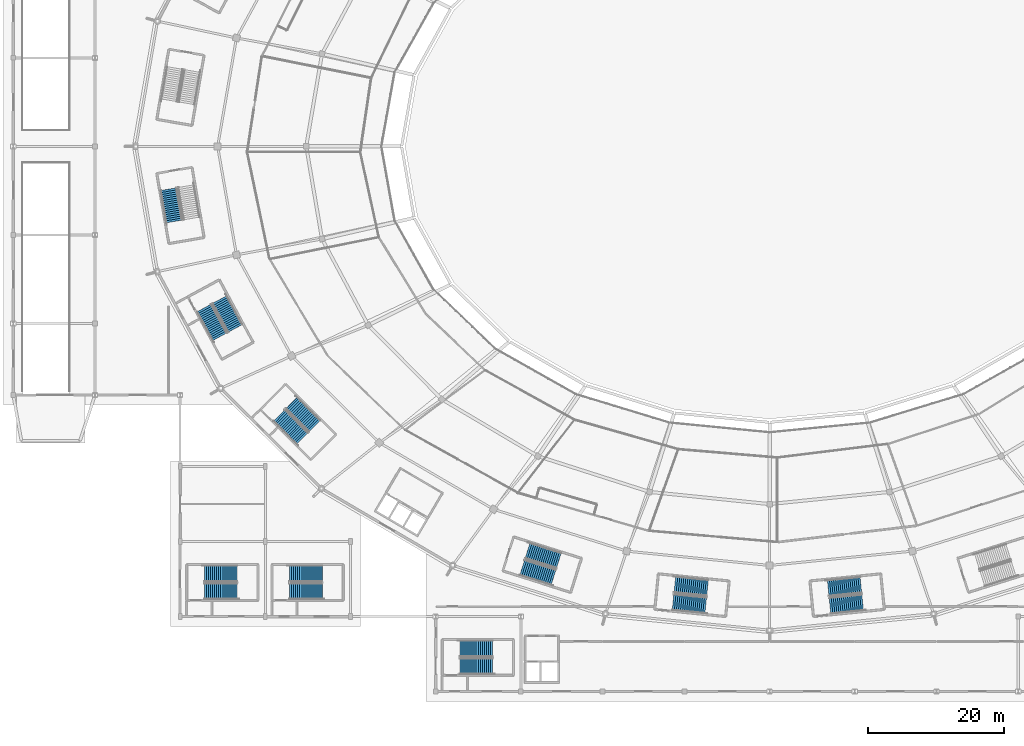
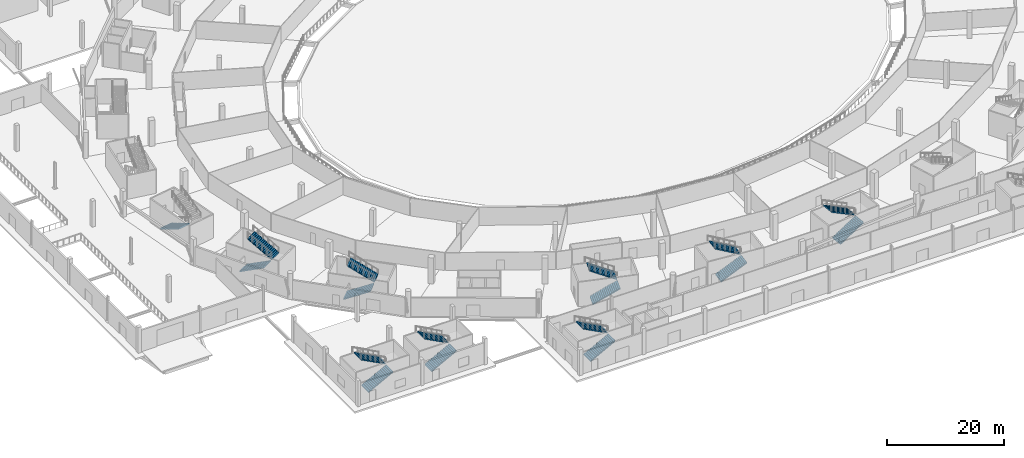
# One storey, part 54 of 82: 17 stair flights, 9 elements without a shape of their own.
"""IFC4 building model written with IfcOpenShell, lengths in metres."""

from ifc_helpers import new_model, si_unit, direction, frame, origin, place, context, subcontext, project, spatial, polyline, outline, extrude, material, type_object, element, aggregate, save


model = new_model("IFC4")

# Units and contexts
model_context = context("Model", 3, precision=1e-05, world=origin(), true_north=direction((0.0, 1.0)))
body_context = subcontext(model_context, "Body", "Model", "MODEL_VIEW")
ifc_project = project(units=[si_unit("LENGTHUNIT", "METRE"), si_unit("AREAUNIT", "SQUARE_METRE"), si_unit("VOLUMEUNIT", "CUBIC_METRE"), si_unit("PLANEANGLEUNIT", "RADIAN"), si_unit("MASSUNIT", "GRAM", prefix="KILO")], contexts=[model_context])

# Site, building, storey
site_placement = place(None, origin())
site = spatial("IfcSite", under=ifc_project, at=site_placement, CompositionType="ELEMENT")
building_placement = place(site_placement, origin())
building = spatial("IfcBuilding", under=site, at=building_placement, Name="Zlatoyarsky Gate Stadium", CompositionType="ELEMENT")
storey_placement = place(building_placement, origin())
storey = spatial("IfcBuildingStorey", under=building, at=storey_placement, Name="L00", CompositionType="ELEMENT", Elevation=0.0)

# Stair, stair flight
ifc_material = material(Name="Concrete C40/50", Category="concrete")
stair_type = type_object("IfcStairType", Name="CONCRETE DOGLEG EXIT STAIR H5400", PredefinedType="TWO_STRAIGHT_RUN_STAIR", material=ifc_material)
stair_1_placement = place(storey_placement, origin())
stair_1 = element("IfcStair", 1, at=stair_1_placement, inside=storey, type_object=stair_type, Name="L00 Exit Stair ST-07", PredefinedType="TWO_STRAIGHT_RUN_STAIR")
stair_flight_type = type_object("IfcStairFlightType", Name="CONCRETE STAIR FLIGHT 2400 H5400", PredefinedType="STRAIGHT", material=ifc_material)
stair_flight_1_placement = place(storey_placement, frame((22.80712890625, 73.71875, 0.0), z_axis=(0.0, 0.0, 1.0), x_axis=(0.169937754623, -0.985454798331, 0.0)))
stair_flight_1 = element("IfcStairFlight", 2, at=stair_flight_1_placement, type_object=stair_flight_type, Name="ST-DG54 flight 1", NumberOfRisers=17, NumberOfTreads=16, PredefinedType="STRAIGHT", RiserHeight=0.158823529, TreadLength=0.3, context=body_context, shape_type="SweptSolid", body=[
    extrude(outline(polyline([(-0.006103515625, -0.180908203125), (-0.006103515625, 0.0), (0.0, 0.0), (0.0, 0.158935546875), (0.300048828125, 0.158935546875), (0.300048828125, 0.317626953125), (0.60009765625, 0.317626953125), (0.60009765625, 0.4765625), (0.89990234375, 0.4765625), (0.89990234375, 0.63525390625), (1.199951171875, 0.63525390625), (1.199951171875, 0.794189453125), (1.5, 0.794189453125), (1.5, 0.952880859375), (1.800048828125, 0.952880859375), (1.800048828125, 1.11181640625), (2.10009765625, 1.11181640625), (2.10009765625, 1.2705078125), (2.39990234375, 1.2705078125), (2.39990234375, 1.429443359375), (2.699951171875, 1.429443359375), (2.699951171875, 1.588134765625), (3.0, 1.588134765625), (3.0, 1.7470703125), (3.300048828125, 1.7470703125), (3.300048828125, 1.90576171875), (3.60009765625, 1.90576171875), (3.60009765625, 2.064697265625), (3.89990234375, 2.064697265625), (3.89990234375, 2.2236328125), (4.199951171875, 2.2236328125), (4.199951171875, 2.38232421875), (4.5, 2.38232421875), (4.5, 2.541259765625), (4.800048828125, 2.541259765625), (4.800048828125, 2.699951171875), (4.805908203125, 2.699951171875), (4.805908203125, 2.3603515625), (4.800048828125, 2.3603515625), (-0.006103515625, -0.180908203125)])), frame((0.0, 1.199951171875, 0.0), z_axis=(0.0, -1.0, 0.0), x_axis=(1.0, 0.0, 0.0)), (0.0, 0.0, 1.0), 2.39990234375),
])
aggregate(stair_1, [stair_flight_1])

# Stair, stair flights
stair_2_placement = place(storey_placement, origin())
stair_2 = element("IfcStair", 3, at=stair_2_placement, inside=storey, type_object=stair_type, Name="L00 Exit Stair ST-08", PredefinedType="TWO_STRAIGHT_RUN_STAIR")
stair_flight_2_placement = place(storey_placement, frame((39.01806640625, 40.50341796875, 0.0), z_axis=(0.0, 0.0, 1.0), x_axis=(0.708901395436, -0.70530760066, 0.0)))
stair_flight_2 = element("IfcStairFlight", 4, at=stair_flight_2_placement, type_object=stair_flight_type, Name="ST-DG54 flight 1", NumberOfRisers=17, NumberOfTreads=16, PredefinedType="STRAIGHT", RiserHeight=0.158823529, TreadLength=0.3, context=body_context, shape_type="SweptSolid", body=[
    extrude(outline(polyline([(-0.006103515625, -0.180908203125), (-0.006103515625, 0.0), (0.0, 0.0), (0.0, 0.158935546875), (0.300048828125, 0.158935546875), (0.300048828125, 0.317626953125), (0.60009765625, 0.317626953125), (0.60009765625, 0.4765625), (0.89990234375, 0.4765625), (0.89990234375, 0.63525390625), (1.199951171875, 0.63525390625), (1.199951171875, 0.794189453125), (1.5, 0.794189453125), (1.5, 0.952880859375), (1.800048828125, 0.952880859375), (1.800048828125, 1.11181640625), (2.10009765625, 1.11181640625), (2.10009765625, 1.2705078125), (2.39990234375, 1.2705078125), (2.39990234375, 1.429443359375), (2.699951171875, 1.429443359375), (2.699951171875, 1.588134765625), (3.0, 1.588134765625), (3.0, 1.7470703125), (3.300048828125, 1.7470703125), (3.300048828125, 1.90576171875), (3.60009765625, 1.90576171875), (3.60009765625, 2.064697265625), (3.89990234375, 2.064697265625), (3.89990234375, 2.2236328125), (4.199951171875, 2.2236328125), (4.199951171875, 2.38232421875), (4.5, 2.38232421875), (4.5, 2.541259765625), (4.800048828125, 2.541259765625), (4.800048828125, 2.699951171875), (4.805908203125, 2.699951171875), (4.805908203125, 2.3603515625), (4.800048828125, 2.3603515625), (-0.006103515625, -0.180908203125)])), frame((0.0, 1.199951171875, 0.0), z_axis=(0.0, -1.0, 0.0), x_axis=(1.0, 0.0, 0.0)), (0.0, 0.0, 1.0), 2.39990234375),
])
stair_flight_3_placement = place(storey_placement, frame((44.254638671875, 38.9609375, 2.699951171875), z_axis=(0.0, 0.0, 1.0), x_axis=(-0.708901395436, 0.70530760066, 0.0)))
stair_flight_3 = element("IfcStairFlight", 5, at=stair_flight_3_placement, type_object=stair_flight_type, Name="ST-DG54 flight 2", NumberOfRisers=17, NumberOfTreads=16, PredefinedType="STRAIGHT", RiserHeight=0.158823529, TreadLength=0.3, context=body_context, shape_type="SweptSolid", body=[
    extrude(outline(polyline([(-0.006103515625, -0.180908203125), (-0.006103515625, 0.0), (0.0, 0.0), (0.0, 0.158935546875), (0.300048828125, 0.158935546875), (0.300048828125, 0.317626953125), (0.60009765625, 0.317626953125), (0.60009765625, 0.4765625), (0.89990234375, 0.4765625), (0.89990234375, 0.63525390625), (1.199951171875, 0.63525390625), (1.199951171875, 0.794189453125), (1.5, 0.794189453125), (1.5, 0.952880859375), (1.800048828125, 0.952880859375), (1.800048828125, 1.11181640625), (2.10009765625, 1.11181640625), (2.10009765625, 1.2705078125), (2.39990234375, 1.2705078125), (2.39990234375, 1.429443359375), (2.699951171875, 1.429443359375), (2.699951171875, 1.588134765625), (3.0, 1.588134765625), (3.0, 1.7470703125), (3.300048828125, 1.7470703125), (3.300048828125, 1.90576171875), (3.60009765625, 1.90576171875), (3.60009765625, 2.064697265625), (3.89990234375, 2.064697265625), (3.89990234375, 2.2236328125), (4.199951171875, 2.2236328125), (4.199951171875, 2.38232421875), (4.5, 2.38232421875), (4.5, 2.541259765625), (4.800048828125, 2.541259765625), (4.800048828125, 2.699951171875), (4.805908203125, 2.699951171875), (4.805908203125, 2.3603515625), (4.800048828125, 2.3603515625), (-0.006103515625, -0.180908203125)])), frame((0.0, 1.199951171875, 0.0), z_axis=(0.0, -1.0, 0.0), x_axis=(1.0, 0.0, 0.0)), (0.0, 0.0, 1.0), 2.39990234375),
])
aggregate(stair_2, [stair_flight_2, stair_flight_3])

stair_3_placement = place(storey_placement, origin())
stair_3 = element("IfcStair", 6, at=stair_3_placement, inside=storey, type_object=stair_type, Name="L00 Exit Stair ST-09", PredefinedType="TWO_STRAIGHT_RUN_STAIR")
stair_flight_4_placement = place(storey_placement, frame((74.70849609375, 18.179931640625, 0.0), z_axis=(0.0, 0.0, 1.0), x_axis=(0.953463118711, -0.301509670257, 0.0)))
stair_flight_4 = element("IfcStairFlight", 7, at=stair_flight_4_placement, type_object=stair_flight_type, Name="ST-DG54 flight 1", NumberOfRisers=17, NumberOfTreads=16, PredefinedType="STRAIGHT", RiserHeight=0.158823529, TreadLength=0.3, context=body_context, shape_type="SweptSolid", body=[
    extrude(outline(polyline([(-0.006103515625, -0.180908203125), (-0.006103515625, 0.0), (0.0, 0.0), (0.0, 0.158935546875), (0.300048828125, 0.158935546875), (0.300048828125, 0.317626953125), (0.60009765625, 0.317626953125), (0.60009765625, 0.4765625), (0.89990234375, 0.4765625), (0.89990234375, 0.63525390625), (1.199951171875, 0.63525390625), (1.199951171875, 0.794189453125), (1.5, 0.794189453125), (1.5, 0.952880859375), (1.800048828125, 0.952880859375), (1.800048828125, 1.11181640625), (2.10009765625, 1.11181640625), (2.10009765625, 1.2705078125), (2.39990234375, 1.2705078125), (2.39990234375, 1.429443359375), (2.699951171875, 1.429443359375), (2.699951171875, 1.588134765625), (3.0, 1.588134765625), (3.0, 1.7470703125), (3.300048828125, 1.7470703125), (3.300048828125, 1.90576171875), (3.60009765625, 1.90576171875), (3.60009765625, 2.064697265625), (3.89990234375, 2.064697265625), (3.89990234375, 2.2236328125), (4.199951171875, 2.2236328125), (4.199951171875, 2.38232421875), (4.5, 2.38232421875), (4.5, 2.541259765625), (4.800048828125, 2.541259765625), (4.800048828125, 2.699951171875), (4.805908203125, 2.699951171875), (4.805908203125, 2.3603515625), (4.800048828125, 2.3603515625), (-0.006103515625, -0.180908203125)])), frame((0.0, 1.199951171875, 0.0), z_axis=(0.0, -1.0, 0.0), x_axis=(1.0, 0.0, 0.0)), (0.0, 0.0, 1.0), 2.39990234375),
])
stair_flight_5_placement = place(storey_placement, frame((80.069091796875, 19.211669921875, 2.699951171875), z_axis=(0.0, 0.0, 1.0), x_axis=(-0.953463118711, 0.301509670257, 0.0)))
stair_flight_5 = element("IfcStairFlight", 8, at=stair_flight_5_placement, type_object=stair_flight_type, Name="ST-DG54 flight 2", NumberOfRisers=17, NumberOfTreads=16, PredefinedType="STRAIGHT", RiserHeight=0.158823529, TreadLength=0.3, context=body_context, shape_type="SweptSolid", body=[
    extrude(outline(polyline([(-0.006103515625, -0.180908203125), (-0.006103515625, 0.0), (0.0, 0.0), (0.0, 0.158935546875), (0.300048828125, 0.158935546875), (0.300048828125, 0.317626953125), (0.60009765625, 0.317626953125), (0.60009765625, 0.4765625), (0.89990234375, 0.4765625), (0.89990234375, 0.63525390625), (1.199951171875, 0.63525390625), (1.199951171875, 0.794189453125), (1.5, 0.794189453125), (1.5, 0.952880859375), (1.800048828125, 0.952880859375), (1.800048828125, 1.11181640625), (2.10009765625, 1.11181640625), (2.10009765625, 1.2705078125), (2.39990234375, 1.2705078125), (2.39990234375, 1.429443359375), (2.699951171875, 1.429443359375), (2.699951171875, 1.588134765625), (3.0, 1.588134765625), (3.0, 1.7470703125), (3.300048828125, 1.7470703125), (3.300048828125, 1.90576171875), (3.60009765625, 1.90576171875), (3.60009765625, 2.064697265625), (3.89990234375, 2.064697265625), (3.89990234375, 2.2236328125), (4.199951171875, 2.2236328125), (4.199951171875, 2.38232421875), (4.5, 2.38232421875), (4.5, 2.541259765625), (4.800048828125, 2.541259765625), (4.800048828125, 2.699951171875), (4.805908203125, 2.699951171875), (4.805908203125, 2.3603515625), (4.800048828125, 2.3603515625), (-0.006103515625, -0.180908203125)])), frame((0.0, 1.199951171875, 0.0), z_axis=(0.0, -1.0, 0.0), x_axis=(1.0, 0.0, 0.0)), (0.0, 0.0, 1.0), 2.39990234375),
])
aggregate(stair_3, [stair_flight_4, stair_flight_5])

stair_4_placement = place(storey_placement, origin())
stair_4 = element("IfcStair", 9, at=stair_4_placement, inside=storey, type_object=stair_type, Name="L00 Exit Stair ST-10", PredefinedType="TWO_STRAIGHT_RUN_STAIR")
stair_flight_6_placement = place(storey_placement, frame((119.876220703125, 12.5732421875, 0.0), z_axis=(0.0, 0.0, 1.0), x_axis=(0.994986861964, 0.100005722426, 0.0)))
stair_flight_6 = element("IfcStairFlight", 10, at=stair_flight_6_placement, type_object=stair_flight_type, Name="ST-DG54 flight 1", NumberOfRisers=17, NumberOfTreads=16, PredefinedType="STRAIGHT", RiserHeight=0.158823529, TreadLength=0.3, context=body_context, shape_type="SweptSolid", body=[
    extrude(outline(polyline([(-0.006103515625, -0.180908203125), (-0.006103515625, 0.0), (0.0, 0.0), (0.0, 0.158935546875), (0.300048828125, 0.158935546875), (0.300048828125, 0.317626953125), (0.60009765625, 0.317626953125), (0.60009765625, 0.4765625), (0.89990234375, 0.4765625), (0.89990234375, 0.63525390625), (1.199951171875, 0.63525390625), (1.199951171875, 0.794189453125), (1.5, 0.794189453125), (1.5, 0.952880859375), (1.800048828125, 0.952880859375), (1.800048828125, 1.11181640625), (2.10009765625, 1.11181640625), (2.10009765625, 1.2705078125), (2.39990234375, 1.2705078125), (2.39990234375, 1.429443359375), (2.699951171875, 1.429443359375), (2.699951171875, 1.588134765625), (3.0, 1.588134765625), (3.0, 1.7470703125), (3.300048828125, 1.7470703125), (3.300048828125, 1.90576171875), (3.60009765625, 1.90576171875), (3.60009765625, 2.064697265625), (3.89990234375, 2.064697265625), (3.89990234375, 2.2236328125), (4.199951171875, 2.2236328125), (4.199951171875, 2.38232421875), (4.5, 2.38232421875), (4.5, 2.541259765625), (4.800048828125, 2.541259765625), (4.800048828125, 2.699951171875), (4.805908203125, 2.699951171875), (4.805908203125, 2.3603515625), (4.800048828125, 2.3603515625), (-0.006103515625, -0.180908203125)])), frame((0.0, 1.199951171875, 0.0), z_axis=(0.0, -1.0, 0.0), x_axis=(1.0, 0.0, 0.0)), (0.0, 0.0, 1.0), 2.39990234375),
])
stair_flight_7_placement = place(storey_placement, frame((124.39208984375, 15.64013671875, 2.699951171875), z_axis=(0.0, 0.0, 1.0), x_axis=(-0.994986861964, -0.100005722426, 0.0)))
stair_flight_7 = element("IfcStairFlight", 11, at=stair_flight_7_placement, type_object=stair_flight_type, Name="ST-DG54 flight 2", NumberOfRisers=17, NumberOfTreads=16, PredefinedType="STRAIGHT", RiserHeight=0.158823529, TreadLength=0.3, context=body_context, shape_type="SweptSolid", body=[
    extrude(outline(polyline([(-0.006103515625, -0.180908203125), (-0.006103515625, 0.0), (0.0, 0.0), (0.0, 0.158935546875), (0.300048828125, 0.158935546875), (0.300048828125, 0.317626953125), (0.60009765625, 0.317626953125), (0.60009765625, 0.4765625), (0.89990234375, 0.4765625), (0.89990234375, 0.63525390625), (1.199951171875, 0.63525390625), (1.199951171875, 0.794189453125), (1.5, 0.794189453125), (1.5, 0.952880859375), (1.800048828125, 0.952880859375), (1.800048828125, 1.11181640625), (2.10009765625, 1.11181640625), (2.10009765625, 1.2705078125), (2.39990234375, 1.2705078125), (2.39990234375, 1.429443359375), (2.699951171875, 1.429443359375), (2.699951171875, 1.588134765625), (3.0, 1.588134765625), (3.0, 1.7470703125), (3.300048828125, 1.7470703125), (3.300048828125, 1.90576171875), (3.60009765625, 1.90576171875), (3.60009765625, 2.064697265625), (3.89990234375, 2.064697265625), (3.89990234375, 2.2236328125), (4.199951171875, 2.2236328125), (4.199951171875, 2.38232421875), (4.5, 2.38232421875), (4.5, 2.541259765625), (4.800048828125, 2.541259765625), (4.800048828125, 2.699951171875), (4.805908203125, 2.699951171875), (4.805908203125, 2.3603515625), (4.800048828125, 2.3603515625), (-0.006103515625, -0.180908203125)])), frame((0.0, 1.199951171875, 0.0), z_axis=(0.0, -1.0, 0.0), x_axis=(1.0, 0.0, 0.0)), (0.0, 0.0, 1.0), 2.39990234375),
])
aggregate(stair_4, [stair_flight_6, stair_flight_7])

stair_5_placement = place(storey_placement, origin())
stair_5 = element("IfcStair", 12, at=stair_5_placement, inside=storey, type_object=stair_type, Name="L00 Exit Stair ST-15", PredefinedType="TWO_STRAIGHT_RUN_STAIR")
stair_flight_8_placement = place(storey_placement, frame((28.0244140625, 56.284912109375, 0.0), z_axis=(0.0, 0.0, 1.0), x_axis=(0.476890318595, -0.878962811518, 0.0)))
stair_flight_8 = element("IfcStairFlight", 13, at=stair_flight_8_placement, type_object=stair_flight_type, Name="ST-DG54 flight 1", NumberOfRisers=17, NumberOfTreads=16, PredefinedType="STRAIGHT", RiserHeight=0.158823529, TreadLength=0.3, context=body_context, shape_type="SweptSolid", body=[
    extrude(outline(polyline([(-0.006103515625, -0.180908203125), (-0.006103515625, 0.0), (0.0, 0.0), (0.0, 0.158935546875), (0.300048828125, 0.158935546875), (0.300048828125, 0.317626953125), (0.60009765625, 0.317626953125), (0.60009765625, 0.4765625), (0.89990234375, 0.4765625), (0.89990234375, 0.63525390625), (1.199951171875, 0.63525390625), (1.199951171875, 0.794189453125), (1.5, 0.794189453125), (1.5, 0.952880859375), (1.800048828125, 0.952880859375), (1.800048828125, 1.11181640625), (2.10009765625, 1.11181640625), (2.10009765625, 1.2705078125), (2.39990234375, 1.2705078125), (2.39990234375, 1.429443359375), (2.699951171875, 1.429443359375), (2.699951171875, 1.588134765625), (3.0, 1.588134765625), (3.0, 1.7470703125), (3.300048828125, 1.7470703125), (3.300048828125, 1.90576171875), (3.60009765625, 1.90576171875), (3.60009765625, 2.064697265625), (3.89990234375, 2.064697265625), (3.89990234375, 2.2236328125), (4.199951171875, 2.2236328125), (4.199951171875, 2.38232421875), (4.5, 2.38232421875), (4.5, 2.541259765625), (4.800048828125, 2.541259765625), (4.800048828125, 2.699951171875), (4.805908203125, 2.699951171875), (4.805908203125, 2.3603515625), (4.800048828125, 2.3603515625), (-0.006103515625, -0.180908203125)])), frame((0.0, 1.199951171875, 0.0), z_axis=(0.0, -1.0, 0.0), x_axis=(1.0, 0.0, 0.0)), (0.0, 0.0, 1.0), 2.39990234375),
])
stair_flight_9_placement = place(storey_placement, frame((32.5986328125, 53.305908203125, 2.699951171875), z_axis=(0.0, 0.0, 1.0), x_axis=(-0.476890318595, 0.878962811518, 0.0)))
stair_flight_9 = element("IfcStairFlight", 14, at=stair_flight_9_placement, type_object=stair_flight_type, Name="ST-DG54 flight 2", NumberOfRisers=17, NumberOfTreads=16, PredefinedType="STRAIGHT", RiserHeight=0.158823529, TreadLength=0.3, context=body_context, shape_type="SweptSolid", body=[
    extrude(outline(polyline([(-0.006103515625, -0.180908203125), (-0.006103515625, 0.0), (0.0, 0.0), (0.0, 0.158935546875), (0.300048828125, 0.158935546875), (0.300048828125, 0.317626953125), (0.60009765625, 0.317626953125), (0.60009765625, 0.4765625), (0.89990234375, 0.4765625), (0.89990234375, 0.63525390625), (1.199951171875, 0.63525390625), (1.199951171875, 0.794189453125), (1.5, 0.794189453125), (1.5, 0.952880859375), (1.800048828125, 0.952880859375), (1.800048828125, 1.11181640625), (2.10009765625, 1.11181640625), (2.10009765625, 1.2705078125), (2.39990234375, 1.2705078125), (2.39990234375, 1.429443359375), (2.699951171875, 1.429443359375), (2.699951171875, 1.588134765625), (3.0, 1.588134765625), (3.0, 1.7470703125), (3.300048828125, 1.7470703125), (3.300048828125, 1.90576171875), (3.60009765625, 1.90576171875), (3.60009765625, 2.064697265625), (3.89990234375, 2.064697265625), (3.89990234375, 2.2236328125), (4.199951171875, 2.2236328125), (4.199951171875, 2.38232421875), (4.5, 2.38232421875), (4.5, 2.541259765625), (4.800048828125, 2.541259765625), (4.800048828125, 2.699951171875), (4.805908203125, 2.699951171875), (4.805908203125, 2.3603515625), (4.800048828125, 2.3603515625), (-0.006103515625, -0.180908203125)])), frame((0.0, 1.199951171875, 0.0), z_axis=(0.0, -1.0, 0.0), x_axis=(1.0, 0.0, 0.0)), (0.0, 0.0, 1.0), 2.39990234375),
])
aggregate(stair_5, [stair_flight_8, stair_flight_9])

stair_6_placement = place(storey_placement, origin())
stair_6 = element("IfcStair", 15, at=stair_6_placement, inside=storey, type_object=stair_type, Name="L00 Exit Stair ST-19", PredefinedType="TWO_STRAIGHT_RUN_STAIR")
stair_flight_10_placement = place(storey_placement, frame((96.850341796875, 13.103271484375, 0.0), z_axis=(0.0, 0.0, 1.0), x_axis=(0.994986861964, -0.100005722426, 0.0)))
stair_flight_10 = element("IfcStairFlight", 16, at=stair_flight_10_placement, type_object=stair_flight_type, Name="ST-DG54 flight 1", NumberOfRisers=17, NumberOfTreads=16, PredefinedType="STRAIGHT", RiserHeight=0.158823529, TreadLength=0.3, context=body_context, shape_type="SweptSolid", body=[
    extrude(outline(polyline([(-0.006103515625, -0.180908203125), (-0.006103515625, 0.0), (0.0, 0.0), (0.0, 0.158935546875), (0.300048828125, 0.158935546875), (0.300048828125, 0.317626953125), (0.60009765625, 0.317626953125), (0.60009765625, 0.4765625), (0.89990234375, 0.4765625), (0.89990234375, 0.63525390625), (1.199951171875, 0.63525390625), (1.199951171875, 0.794189453125), (1.5, 0.794189453125), (1.5, 0.952880859375), (1.800048828125, 0.952880859375), (1.800048828125, 1.11181640625), (2.10009765625, 1.11181640625), (2.10009765625, 1.2705078125), (2.39990234375, 1.2705078125), (2.39990234375, 1.429443359375), (2.699951171875, 1.429443359375), (2.699951171875, 1.588134765625), (3.0, 1.588134765625), (3.0, 1.7470703125), (3.300048828125, 1.7470703125), (3.300048828125, 1.90576171875), (3.60009765625, 1.90576171875), (3.60009765625, 2.064697265625), (3.89990234375, 2.064697265625), (3.89990234375, 2.2236328125), (4.199951171875, 2.2236328125), (4.199951171875, 2.38232421875), (4.5, 2.38232421875), (4.5, 2.541259765625), (4.800048828125, 2.541259765625), (4.800048828125, 2.699951171875), (4.805908203125, 2.699951171875), (4.805908203125, 2.3603515625), (4.800048828125, 2.3603515625), (-0.006103515625, -0.180908203125)])), frame((0.0, 1.199951171875, 0.0), z_axis=(0.0, -1.0, 0.0), x_axis=(1.0, 0.0, 0.0)), (0.0, 0.0, 1.0), 2.39990234375),
])
stair_flight_11_placement = place(storey_placement, frame((101.886474609375, 15.210205078125, 2.699951171875), z_axis=(0.0, 0.0, 1.0), x_axis=(-0.994986861964, 0.100005722426, 0.0)))
stair_flight_11 = element("IfcStairFlight", 17, at=stair_flight_11_placement, type_object=stair_flight_type, Name="ST-DG54 flight 2", NumberOfRisers=17, NumberOfTreads=16, PredefinedType="STRAIGHT", RiserHeight=0.158823529, TreadLength=0.3, context=body_context, shape_type="SweptSolid", body=[
    extrude(outline(polyline([(-0.006103515625, -0.180908203125), (-0.006103515625, 0.0), (0.0, 0.0), (0.0, 0.158935546875), (0.300048828125, 0.158935546875), (0.300048828125, 0.317626953125), (0.60009765625, 0.317626953125), (0.60009765625, 0.4765625), (0.89990234375, 0.4765625), (0.89990234375, 0.63525390625), (1.199951171875, 0.63525390625), (1.199951171875, 0.794189453125), (1.5, 0.794189453125), (1.5, 0.952880859375), (1.800048828125, 0.952880859375), (1.800048828125, 1.11181640625), (2.10009765625, 1.11181640625), (2.10009765625, 1.2705078125), (2.39990234375, 1.2705078125), (2.39990234375, 1.429443359375), (2.699951171875, 1.429443359375), (2.699951171875, 1.588134765625), (3.0, 1.588134765625), (3.0, 1.7470703125), (3.300048828125, 1.7470703125), (3.300048828125, 1.90576171875), (3.60009765625, 1.90576171875), (3.60009765625, 2.064697265625), (3.89990234375, 2.064697265625), (3.89990234375, 2.2236328125), (4.199951171875, 2.2236328125), (4.199951171875, 2.38232421875), (4.5, 2.38232421875), (4.5, 2.541259765625), (4.800048828125, 2.541259765625), (4.800048828125, 2.699951171875), (4.805908203125, 2.699951171875), (4.805908203125, 2.3603515625), (4.800048828125, 2.3603515625), (-0.006103515625, -0.180908203125)])), frame((0.0, 1.199951171875, 0.0), z_axis=(0.0, -1.0, 0.0), x_axis=(1.0, 0.0, 0.0)), (0.0, 0.0, 1.0), 2.39990234375),
])
aggregate(stair_6, [stair_flight_10, stair_flight_11])

stair_7_placement = place(storey_placement, origin())
stair_7 = element("IfcStair", 18, at=stair_7_placement, inside=storey, type_object=stair_type, Name="L00 Exit Stair ST-21", PredefinedType="TWO_STRAIGHT_RUN_STAIR")
stair_flight_12_placement = place(storey_placement, frame((28.050048828125, 14.699951171875, 0.0), z_axis=(0.0, 0.0, 1.0), x_axis=(1.0, 0.0, 0.0)))
stair_flight_12 = element("IfcStairFlight", 19, at=stair_flight_12_placement, type_object=stair_flight_type, Name="ST-DG54 flight 1", NumberOfRisers=17, NumberOfTreads=16, PredefinedType="STRAIGHT", RiserHeight=0.158823529, TreadLength=0.3, context=body_context, shape_type="SweptSolid", body=[
    extrude(outline(polyline([(-0.006103515625, -0.180908203125), (-0.006103515625, 0.0), (0.0, 0.0), (0.0, 0.158935546875), (0.300048828125, 0.158935546875), (0.300048828125, 0.317626953125), (0.60009765625, 0.317626953125), (0.60009765625, 0.4765625), (0.89990234375, 0.4765625), (0.89990234375, 0.63525390625), (1.199951171875, 0.63525390625), (1.199951171875, 0.794189453125), (1.5, 0.794189453125), (1.5, 0.952880859375), (1.800048828125, 0.952880859375), (1.800048828125, 1.11181640625), (2.10009765625, 1.11181640625), (2.10009765625, 1.2705078125), (2.39990234375, 1.2705078125), (2.39990234375, 1.429443359375), (2.699951171875, 1.429443359375), (2.699951171875, 1.588134765625), (3.0, 1.588134765625), (3.0, 1.7470703125), (3.300048828125, 1.7470703125), (3.300048828125, 1.90576171875), (3.60009765625, 1.90576171875), (3.60009765625, 2.064697265625), (3.89990234375, 2.064697265625), (3.89990234375, 2.2236328125), (4.199951171875, 2.2236328125), (4.199951171875, 2.38232421875), (4.5, 2.38232421875), (4.5, 2.541259765625), (4.800048828125, 2.541259765625), (4.800048828125, 2.699951171875), (4.805908203125, 2.699951171875), (4.805908203125, 2.3603515625), (4.800048828125, 2.3603515625), (-0.006103515625, -0.180908203125)])), frame((0.0, 1.199951171875, 0.0), z_axis=(0.0, -1.0, 0.0), x_axis=(1.0, 0.0, 0.0)), (0.0, 0.0, 1.0), 2.39990234375),
])
stair_flight_13_placement = place(storey_placement, frame((32.85009765625, 17.300048828125, 2.699951171875), z_axis=(0.0, 0.0, 1.0), x_axis=(-1.0, 0.0, 0.0)))
stair_flight_13 = element("IfcStairFlight", 20, at=stair_flight_13_placement, type_object=stair_flight_type, Name="ST-DG54 flight 2", NumberOfRisers=17, NumberOfTreads=16, PredefinedType="STRAIGHT", RiserHeight=0.158823529, TreadLength=0.3, context=body_context, shape_type="SweptSolid", body=[
    extrude(outline(polyline([(-0.006103515625, -0.180908203125), (-0.006103515625, 0.0), (0.0, 0.0), (0.0, 0.158935546875), (0.300048828125, 0.158935546875), (0.300048828125, 0.317626953125), (0.60009765625, 0.317626953125), (0.60009765625, 0.4765625), (0.89990234375, 0.4765625), (0.89990234375, 0.63525390625), (1.199951171875, 0.63525390625), (1.199951171875, 0.794189453125), (1.5, 0.794189453125), (1.5, 0.952880859375), (1.800048828125, 0.952880859375), (1.800048828125, 1.11181640625), (2.10009765625, 1.11181640625), (2.10009765625, 1.2705078125), (2.39990234375, 1.2705078125), (2.39990234375, 1.429443359375), (2.699951171875, 1.429443359375), (2.699951171875, 1.588134765625), (3.0, 1.588134765625), (3.0, 1.7470703125), (3.300048828125, 1.7470703125), (3.300048828125, 1.90576171875), (3.60009765625, 1.90576171875), (3.60009765625, 2.064697265625), (3.89990234375, 2.064697265625), (3.89990234375, 2.2236328125), (4.199951171875, 2.2236328125), (4.199951171875, 2.38232421875), (4.5, 2.38232421875), (4.5, 2.541259765625), (4.800048828125, 2.541259765625), (4.800048828125, 2.699951171875), (4.805908203125, 2.699951171875), (4.805908203125, 2.3603515625), (4.800048828125, 2.3603515625), (-0.006103515625, -0.180908203125)])), frame((0.0, 1.199951171875, 0.0), z_axis=(0.0, -1.0, 0.0), x_axis=(1.0, 0.0, 0.0)), (0.0, 0.0, 1.0), 2.39990234375),
])
aggregate(stair_7, [stair_flight_12, stair_flight_13])

stair_8_placement = place(storey_placement, origin())
stair_8 = element("IfcStair", 21, at=stair_8_placement, inside=storey, type_object=stair_type, Name="L00 Exit Stair ST-22", PredefinedType="TWO_STRAIGHT_RUN_STAIR")
stair_flight_14_placement = place(storey_placement, frame((40.550048828125, 14.699951171875, 0.0), z_axis=(0.0, 0.0, 1.0), x_axis=(1.0, 0.0, 0.0)))
stair_flight_14 = element("IfcStairFlight", 22, at=stair_flight_14_placement, type_object=stair_flight_type, Name="ST-DG54 flight 1", NumberOfRisers=17, NumberOfTreads=16, PredefinedType="STRAIGHT", RiserHeight=0.158823529, TreadLength=0.3, context=body_context, shape_type="SweptSolid", body=[
    extrude(outline(polyline([(-0.006103515625, -0.180908203125), (-0.006103515625, 0.0), (0.0, 0.0), (0.0, 0.158935546875), (0.300048828125, 0.158935546875), (0.300048828125, 0.317626953125), (0.60009765625, 0.317626953125), (0.60009765625, 0.4765625), (0.89990234375, 0.4765625), (0.89990234375, 0.63525390625), (1.199951171875, 0.63525390625), (1.199951171875, 0.794189453125), (1.5, 0.794189453125), (1.5, 0.952880859375), (1.800048828125, 0.952880859375), (1.800048828125, 1.11181640625), (2.10009765625, 1.11181640625), (2.10009765625, 1.2705078125), (2.39990234375, 1.2705078125), (2.39990234375, 1.429443359375), (2.699951171875, 1.429443359375), (2.699951171875, 1.588134765625), (3.0, 1.588134765625), (3.0, 1.7470703125), (3.300048828125, 1.7470703125), (3.300048828125, 1.90576171875), (3.60009765625, 1.90576171875), (3.60009765625, 2.064697265625), (3.89990234375, 2.064697265625), (3.89990234375, 2.2236328125), (4.199951171875, 2.2236328125), (4.199951171875, 2.38232421875), (4.5, 2.38232421875), (4.5, 2.541259765625), (4.800048828125, 2.541259765625), (4.800048828125, 2.699951171875), (4.805908203125, 2.699951171875), (4.805908203125, 2.3603515625), (4.800048828125, 2.3603515625), (-0.006103515625, -0.180908203125)])), frame((0.0, 1.199951171875, 0.0), z_axis=(0.0, -1.0, 0.0), x_axis=(1.0, 0.0, 0.0)), (0.0, 0.0, 1.0), 2.39990234375),
])
stair_flight_15_placement = place(storey_placement, frame((45.35009765625, 17.300048828125, 2.699951171875), z_axis=(0.0, 0.0, 1.0), x_axis=(-1.0, 0.0, 0.0)))
stair_flight_15 = element("IfcStairFlight", 23, at=stair_flight_15_placement, type_object=stair_flight_type, Name="ST-DG54 flight 2", NumberOfRisers=17, NumberOfTreads=16, PredefinedType="STRAIGHT", RiserHeight=0.158823529, TreadLength=0.3, context=body_context, shape_type="SweptSolid", body=[
    extrude(outline(polyline([(-0.006103515625, -0.180908203125), (-0.006103515625, 0.0), (0.0, 0.0), (0.0, 0.158935546875), (0.300048828125, 0.158935546875), (0.300048828125, 0.317626953125), (0.60009765625, 0.317626953125), (0.60009765625, 0.4765625), (0.89990234375, 0.4765625), (0.89990234375, 0.63525390625), (1.199951171875, 0.63525390625), (1.199951171875, 0.794189453125), (1.5, 0.794189453125), (1.5, 0.952880859375), (1.800048828125, 0.952880859375), (1.800048828125, 1.11181640625), (2.10009765625, 1.11181640625), (2.10009765625, 1.2705078125), (2.39990234375, 1.2705078125), (2.39990234375, 1.429443359375), (2.699951171875, 1.429443359375), (2.699951171875, 1.588134765625), (3.0, 1.588134765625), (3.0, 1.7470703125), (3.300048828125, 1.7470703125), (3.300048828125, 1.90576171875), (3.60009765625, 1.90576171875), (3.60009765625, 2.064697265625), (3.89990234375, 2.064697265625), (3.89990234375, 2.2236328125), (4.199951171875, 2.2236328125), (4.199951171875, 2.38232421875), (4.5, 2.38232421875), (4.5, 2.541259765625), (4.800048828125, 2.541259765625), (4.800048828125, 2.699951171875), (4.805908203125, 2.699951171875), (4.805908203125, 2.3603515625), (4.800048828125, 2.3603515625), (-0.006103515625, -0.180908203125)])), frame((0.0, 1.199951171875, 0.0), z_axis=(0.0, -1.0, 0.0), x_axis=(1.0, 0.0, 0.0)), (0.0, 0.0, 1.0), 2.39990234375),
])
aggregate(stair_8, [stair_flight_14, stair_flight_15])

stair_9_placement = place(storey_placement, origin())
stair_9 = element("IfcStair", 24, at=stair_9_placement, inside=storey, type_object=stair_type, Name="L00 Exit Stair ST-29", PredefinedType="TWO_STRAIGHT_RUN_STAIR")
stair_flight_16_placement = place(storey_placement, frame((65.550048828125, 3.699951171875, 0.0), z_axis=(0.0, 0.0, 1.0), x_axis=(1.0, 0.0, 0.0)))
stair_flight_16 = element("IfcStairFlight", 25, at=stair_flight_16_placement, type_object=stair_flight_type, Name="ST-DG54 flight 1", NumberOfRisers=17, NumberOfTreads=16, PredefinedType="STRAIGHT", RiserHeight=0.158823529, TreadLength=0.3, context=body_context, shape_type="SweptSolid", body=[
    extrude(outline(polyline([(-0.006103515625, -0.180908203125), (-0.006103515625, 0.0), (0.0, 0.0), (0.0, 0.158935546875), (0.300048828125, 0.158935546875), (0.300048828125, 0.317626953125), (0.60009765625, 0.317626953125), (0.60009765625, 0.4765625), (0.89990234375, 0.4765625), (0.89990234375, 0.63525390625), (1.199951171875, 0.63525390625), (1.199951171875, 0.794189453125), (1.5, 0.794189453125), (1.5, 0.952880859375), (1.800048828125, 0.952880859375), (1.800048828125, 1.11181640625), (2.10009765625, 1.11181640625), (2.10009765625, 1.2705078125), (2.39990234375, 1.2705078125), (2.39990234375, 1.429443359375), (2.699951171875, 1.429443359375), (2.699951171875, 1.588134765625), (3.0, 1.588134765625), (3.0, 1.7470703125), (3.300048828125, 1.7470703125), (3.300048828125, 1.90576171875), (3.60009765625, 1.90576171875), (3.60009765625, 2.064697265625), (3.89990234375, 2.064697265625), (3.89990234375, 2.2236328125), (4.199951171875, 2.2236328125), (4.199951171875, 2.38232421875), (4.5, 2.38232421875), (4.5, 2.541259765625), (4.800048828125, 2.541259765625), (4.800048828125, 2.699951171875), (4.805908203125, 2.699951171875), (4.805908203125, 2.3603515625), (4.800048828125, 2.3603515625), (-0.006103515625, -0.180908203125)])), frame((0.0, 1.199951171875, 0.0), z_axis=(0.0, -1.0, 0.0), x_axis=(1.0, 0.0, 0.0)), (0.0, 0.0, 1.0), 2.39990234375),
])
stair_flight_17_placement = place(storey_placement, frame((70.35009765625, 6.300048828125, 2.699951171875), z_axis=(0.0, 0.0, 1.0), x_axis=(-1.0, 0.0, 0.0)))
stair_flight_17 = element("IfcStairFlight", 26, at=stair_flight_17_placement, type_object=stair_flight_type, Name="ST-DG54 flight 2", NumberOfRisers=17, NumberOfTreads=16, PredefinedType="STRAIGHT", RiserHeight=0.158823529, TreadLength=0.3, context=body_context, shape_type="SweptSolid", body=[
    extrude(outline(polyline([(-0.006103515625, -0.180908203125), (-0.006103515625, 0.0), (0.0, 0.0), (0.0, 0.158935546875), (0.300048828125, 0.158935546875), (0.300048828125, 0.317626953125), (0.60009765625, 0.317626953125), (0.60009765625, 0.4765625), (0.89990234375, 0.4765625), (0.89990234375, 0.63525390625), (1.199951171875, 0.63525390625), (1.199951171875, 0.794189453125), (1.5, 0.794189453125), (1.5, 0.952880859375), (1.800048828125, 0.952880859375), (1.800048828125, 1.11181640625), (2.10009765625, 1.11181640625), (2.10009765625, 1.2705078125), (2.39990234375, 1.2705078125), (2.39990234375, 1.429443359375), (2.699951171875, 1.429443359375), (2.699951171875, 1.588134765625), (3.0, 1.588134765625), (3.0, 1.7470703125), (3.300048828125, 1.7470703125), (3.300048828125, 1.90576171875), (3.60009765625, 1.90576171875), (3.60009765625, 2.064697265625), (3.89990234375, 2.064697265625), (3.89990234375, 2.2236328125), (4.199951171875, 2.2236328125), (4.199951171875, 2.38232421875), (4.5, 2.38232421875), (4.5, 2.541259765625), (4.800048828125, 2.541259765625), (4.800048828125, 2.699951171875), (4.805908203125, 2.699951171875), (4.805908203125, 2.3603515625), (4.800048828125, 2.3603515625), (-0.006103515625, -0.180908203125)])), frame((0.0, 1.199951171875, 0.0), z_axis=(0.0, -1.0, 0.0), x_axis=(1.0, 0.0, 0.0)), (0.0, 0.0, 1.0), 2.39990234375),
])
aggregate(stair_9, [stair_flight_16, stair_flight_17])

save(model, "model.ifc")
